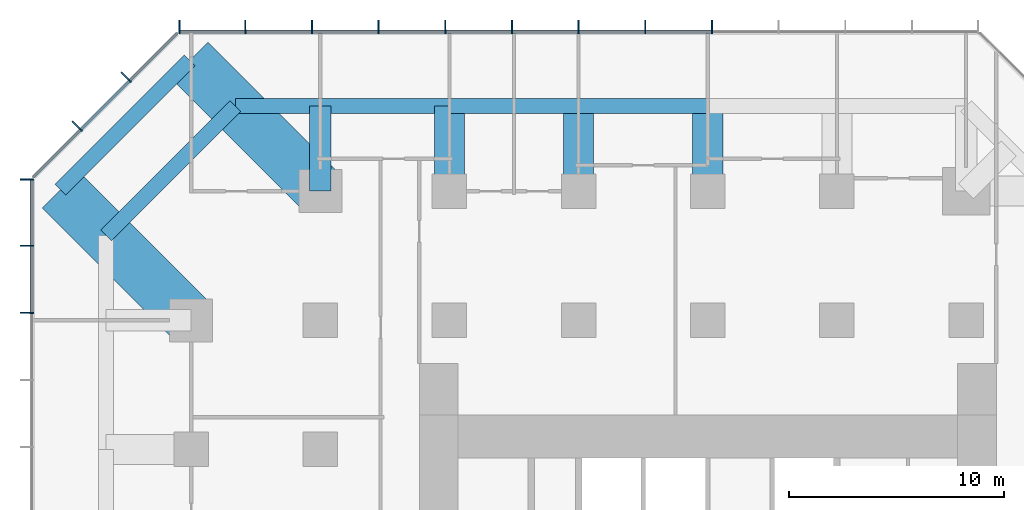
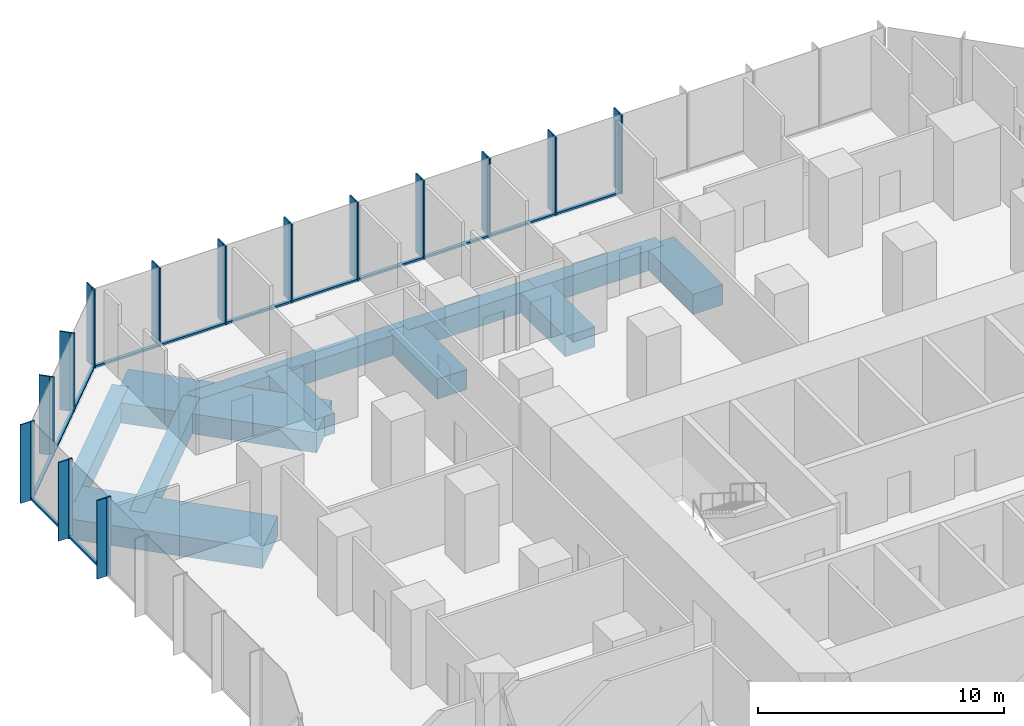
# One storey, part 5 of 12: 41 members, 11 beams, 3 elements without a shape of their own.
"""IFC4 building model written with IfcOpenShell, lengths in metres."""

from ifc_helpers import new_model, si_unit, direction, frame, origin, origin_2d, place, context, subcontext, project, spatial, rectangle, extrude, material, layer, layer_set, material_profile, profile_set, type_object, element, aggregate, save


model = new_model("IFC4")

# Units and contexts
model_context = context("Model", 3, precision=1e-05, world=origin(), true_north=direction((0.0, 1.0)))
body_context = subcontext(model_context, "Body", "Model", "MODEL_VIEW")
ifc_project = project(units=[si_unit("LENGTHUNIT", "METRE"), si_unit("AREAUNIT", "SQUARE_METRE"), si_unit("VOLUMEUNIT", "CUBIC_METRE"), si_unit("PLANEANGLEUNIT", "RADIAN"), si_unit("MASSUNIT", "GRAM", prefix="KILO")], contexts=[model_context])

# Site, building, storey
site_placement = place(None, origin())
site = spatial("IfcSite", under=ifc_project, at=site_placement, CompositionType="ELEMENT")
building_placement = place(site_placement, origin())
building = spatial("IfcBuilding", under=site, at=building_placement, Name="Highveld Stack Headquarters", CompositionType="ELEMENT")
storey_placement = place(building_placement, frame((0.0, 0.0, 101.60009765625)))
storey = spatial("IfcBuildingStorey", under=building, at=storey_placement, Name="L24", CompositionType="ELEMENT", Elevation=101.60009765625)

# Beams
ifc_material_1 = material(Name="Concrete C60/75", Category="concrete")
ifc_material_profile_1 = material_profile(ifc_material_1, rectangle(XDim=1.0, YDim=1.0, at=origin_2d()), Name="RC 1000x1000")
ifc_profile_set_1 = profile_set([ifc_material_profile_1], Name="Concrete C60/75")
beam_type_1 = type_object("IfcBeamType", Name="CANTILEVER RIB RC 1000x1000", PredefinedType="USERDEFINED", material=ifc_profile_set_1)
beam_1_placement = place(storey_placement, frame((-12.0, 24.0, -0.75), z_axis=(0.0, 1.0, 0.0), x_axis=(-1.0, 0.0, 0.0)))
element("IfcBeam", 1, at=beam_1_placement, inside=storey, type_object=beam_type_1, Name="Cantilever rib 4/J L24", ObjectType="CANTILEVER RIB", PredefinedType="USERDEFINED", context=body_context, shape_type="SweptSolid", body=[
    extrude(rectangle(XDim=1.0, YDim=1.0, at=origin_2d()), origin(), (0.0, 0.0, 1.0), 3.949951171875),
])
ifc_material_2 = material(Name="Concrete C60/75", Category="concrete")
ifc_material_profile_2 = material_profile(ifc_material_2, rectangle(XDim=1.39990234375, YDim=1.0, at=origin_2d()), Name="RC 1400x1000")
ifc_profile_set_2 = profile_set([ifc_material_profile_2], Name="Concrete C60/75")
beam_type_2 = type_object("IfcBeamType", Name="CANTILEVER RIB RC 1400x1000", PredefinedType="USERDEFINED", material=ifc_profile_set_2)
for number, where, z_axis, x_axis, name in (
    (2, (-6.0, 24.0, -0.75), (0.0, 1.0, 0.0), (-1.0, 0.0, 0.0), "Cantilever rib 5/J L24"),
    (3, (0.0, 24.0, -0.75), (0.0, 1.0, 0.0), (-1.0, 0.0, 0.0), "Cantilever rib 6/J L24"),
    (4, (6.0, 24.0, -0.75), (0.0, 1.0, 0.0), (-1.0, 0.0, 0.0), "Cantilever rib 7/J L24"),
):
    element("IfcBeam", number, at=place(storey_placement, frame(where, z_axis=z_axis, x_axis=x_axis)), inside=storey, type_object=beam_type_2, Name=name, ObjectType="CANTILEVER RIB", PredefinedType="USERDEFINED", context=body_context, shape_type="SweptSolid", body=[
        extrude(rectangle(XDim=1.39990234375, YDim=1.0, at=origin_2d()), origin(), (0.0, 0.0, 1.0), 3.949951171875),
    ])
ifc_material_3 = material(Name="Concrete C60/75", Category="concrete")
ifc_material_profile_3 = material_profile(ifc_material_3, rectangle(XDim=2.39990234375, YDim=1.0, at=origin_2d()), Name="RC 2400x1000")
ifc_profile_set_3 = profile_set([ifc_material_profile_3], Name="Concrete C60/75")
beam_type_3 = type_object("IfcBeamType", Name="CANTILEVER RIB RC 2400x1000", PredefinedType="USERDEFINED", material=ifc_profile_set_3)
for number, where, z_axis, x_axis, name in (
    (5, (-18.0, 18.0, -0.75), (-0.707106781187, 0.707106781187, 0.0), (-0.707106781187, -0.707106781187, 0.0), "Cantilever rib 3/H L24"),
    (6, (-12.0, 24.0, -0.75), (-0.707106781187, 0.707106781187, 0.0), (-0.707106781187, -0.707106781187, 0.0), "Cantilever rib 4/J L24"),
):
    element("IfcBeam", number, at=place(storey_placement, frame(where, z_axis=z_axis, x_axis=x_axis)), inside=storey, type_object=beam_type_3, Name=name, ObjectType="CANTILEVER RIB", PredefinedType="USERDEFINED", context=body_context, shape_type="SweptSolid", body=[
        extrude(rectangle(XDim=2.39990234375, YDim=1.0, at=origin_2d()), origin(), (0.0, 0.0, 1.0), 8.585693359375),
    ])

# Curtain wall, members
ifc_material_4 = material(Name="Aluminium bronze anodised", Category="aluminium")
ifc_layer_1 = layer(ifc_material_4, 0.199951171875)
ifc_layer_set_1 = layer_set([ifc_layer_1], Name="Aluminium bronze anodised")
curtain_wall_type_1 = type_object("IfcCurtainWallType", Name="CW1 TOWER UNITISED CURTAIN WALL", PredefinedType="NOTDEFINED", material=ifc_layer_set_1)
curtain_wall_1_placement = place(storey_placement, origin())
curtain_wall_1 = element("IfcCurtainWall", 7, at=curtain_wall_1_placement, inside=storey, type_object=curtain_wall_type_1, Name="Curtain wall CW1 L24 N", PredefinedType="NOTDEFINED")
ifc_material_5 = material(Name="Aluminium bronze anodised", Category="aluminium")
ifc_material_profile_4 = material_profile(ifc_material_5, rectangle(XDim=0.449951171875, YDim=0.06005859375, at=origin_2d()), Name="FIN 450x60")
ifc_profile_set_4 = profile_set([ifc_material_profile_4], Name="Aluminium bronze anodised")
member_type_1 = type_object("IfcMemberType", Name="CW1 BRONZE FIN 450x60", PredefinedType="USERDEFINED", material=ifc_profile_set_4)
member_1_placement = place(storey_placement, frame((6.193359375, 31.72509765625, 0.0), z_axis=(0.0, 0.0, 1.0), x_axis=(0.0, -1.0, 0.0)))
member_1 = element("IfcMember", 8, at=member_1_placement, type_object=member_type_1, Name="CW1 fin L24 5", ObjectType="FIN", PredefinedType="USERDEFINED", context=body_context, shape_type="SweptSolid", body=[
    extrude(rectangle(XDim=0.449951171875, YDim=0.06005859375, at=origin_2d()), origin(), (0.0, 0.0, 1.0), 3.89990234375),
])
member_2_placement = place(storey_placement, frame((3.0966796875, 31.72509765625, 0.0), z_axis=(0.0, 0.0, 1.0), x_axis=(0.0, -1.0, 0.0)))
member_2 = element("IfcMember", 9, at=member_2_placement, type_object=member_type_1, Name="CW1 fin L24 6", ObjectType="FIN", PredefinedType="USERDEFINED", context=body_context, shape_type="SweptSolid", body=[
    extrude(rectangle(XDim=0.449951171875, YDim=0.06005859375, at=origin_2d()), origin(), (0.0, 0.0, 1.0), 3.89990234375),
])
member_3_placement = place(storey_placement, frame((0.0, 31.72509765625, 0.0), z_axis=(0.0, 0.0, 1.0), x_axis=(0.0, -1.0, 0.0)))
member_3 = element("IfcMember", 10, at=member_3_placement, type_object=member_type_1, Name="CW1 fin L24 7", ObjectType="FIN", PredefinedType="USERDEFINED", context=body_context, shape_type="SweptSolid", body=[
    extrude(rectangle(XDim=0.449951171875, YDim=0.06005859375, at=origin_2d()), origin(), (0.0, 0.0, 1.0), 3.89990234375),
])
member_4_placement = place(storey_placement, frame((-3.0966796875, 31.72509765625, 0.0), z_axis=(0.0, 0.0, 1.0), x_axis=(0.0, -1.0, 0.0)))
member_4 = element("IfcMember", 11, at=member_4_placement, type_object=member_type_1, Name="CW1 fin L24 8", ObjectType="FIN", PredefinedType="USERDEFINED", context=body_context, shape_type="SweptSolid", body=[
    extrude(rectangle(XDim=0.449951171875, YDim=0.06005859375, at=origin_2d()), origin(), (0.0, 0.0, 1.0), 3.89990234375),
])
member_5_placement = place(storey_placement, frame((-6.193359375, 31.72509765625, 0.0), z_axis=(0.0, 0.0, 1.0), x_axis=(0.0, -1.0, 0.0)))
member_5 = element("IfcMember", 12, at=member_5_placement, type_object=member_type_1, Name="CW1 fin L24 9", ObjectType="FIN", PredefinedType="USERDEFINED", context=body_context, shape_type="SweptSolid", body=[
    extrude(rectangle(XDim=0.449951171875, YDim=0.06005859375, at=origin_2d()), origin(), (0.0, 0.0, 1.0), 3.89990234375),
])
member_6_placement = place(storey_placement, frame((-9.2900390625, 31.72509765625, 0.0), z_axis=(0.0, 0.0, 1.0), x_axis=(0.0, -1.0, 0.0)))
member_6 = element("IfcMember", 13, at=member_6_placement, type_object=member_type_1, Name="CW1 fin L24 10", ObjectType="FIN", PredefinedType="USERDEFINED", context=body_context, shape_type="SweptSolid", body=[
    extrude(rectangle(XDim=0.449951171875, YDim=0.06005859375, at=origin_2d()), origin(), (0.0, 0.0, 1.0), 3.89990234375),
])
member_7_placement = place(storey_placement, frame((-12.38671875, 31.72509765625, 0.0), z_axis=(0.0, 0.0, 1.0), x_axis=(0.0, -1.0, 0.0)))
member_7 = element("IfcMember", 14, at=member_7_placement, type_object=member_type_1, Name="CW1 fin L24 11", ObjectType="FIN", PredefinedType="USERDEFINED", context=body_context, shape_type="SweptSolid", body=[
    extrude(rectangle(XDim=0.449951171875, YDim=0.06005859375, at=origin_2d()), origin(), (0.0, 0.0, 1.0), 3.89990234375),
])
member_8_placement = place(storey_placement, frame((-15.4833984375, 31.72509765625, 0.0), z_axis=(0.0, 0.0, 1.0), x_axis=(0.0, -1.0, 0.0)))
member_8 = element("IfcMember", 15, at=member_8_placement, type_object=member_type_1, Name="CW1 fin L24 12", ObjectType="FIN", PredefinedType="USERDEFINED", context=body_context, shape_type="SweptSolid", body=[
    extrude(rectangle(XDim=0.449951171875, YDim=0.06005859375, at=origin_2d()), origin(), (0.0, 0.0, 1.0), 3.89990234375),
])
member_9_placement = place(storey_placement, frame((-18.54736328125, 31.72509765625, 0.0), z_axis=(0.0, 0.0, 1.0), x_axis=(0.0, -1.0, 0.0)))
member_9 = element("IfcMember", 16, at=member_9_placement, type_object=member_type_1, Name="CW1 fin L24 13", ObjectType="FIN", PredefinedType="USERDEFINED", context=body_context, shape_type="SweptSolid", body=[
    extrude(rectangle(XDim=0.449951171875, YDim=0.06005859375, at=origin_2d()), origin(), (0.0, 0.0, 1.0), 3.89990234375),
])

curtain_wall_2_placement = place(storey_placement, origin())
curtain_wall_2 = element("IfcCurtainWall", 17, at=curtain_wall_2_placement, inside=storey, type_object=curtain_wall_type_1, Name="Curtain wall CW1 L24 W", PredefinedType="NOTDEFINED")
member_10_placement = place(storey_placement, frame((-25.72509765625, 24.54736328125, 0.0), z_axis=(0.0, 0.0, 1.0), x_axis=(1.0, 0.0, 0.0)))
member_10 = element("IfcMember", 18, at=member_10_placement, type_object=member_type_1, Name="CW1 fin L24 1", ObjectType="FIN", PredefinedType="USERDEFINED", context=body_context, shape_type="SweptSolid", body=[
    extrude(rectangle(XDim=0.449951171875, YDim=0.06005859375, at=origin_2d()), origin(), (0.0, 0.0, 1.0), 3.89990234375),
])
member_11_placement = place(storey_placement, frame((-25.72509765625, 21.4638671875, 0.0), z_axis=(0.0, 0.0, 1.0), x_axis=(1.0, 0.0, 0.0)))
member_11 = element("IfcMember", 19, at=member_11_placement, type_object=member_type_1, Name="CW1 fin L24 2", ObjectType="FIN", PredefinedType="USERDEFINED", context=body_context, shape_type="SweptSolid", body=[
    extrude(rectangle(XDim=0.449951171875, YDim=0.06005859375, at=origin_2d()), origin(), (0.0, 0.0, 1.0), 3.89990234375),
])
member_12_placement = place(storey_placement, frame((-25.72509765625, 18.347900390625, 0.0), z_axis=(0.0, 0.0, 1.0), x_axis=(1.0, 0.0, 0.0)))
member_12 = element("IfcMember", 20, at=member_12_placement, type_object=member_type_1, Name="CW1 fin L24 3", ObjectType="FIN", PredefinedType="USERDEFINED", context=body_context, shape_type="SweptSolid", body=[
    extrude(rectangle(XDim=0.449951171875, YDim=0.06005859375, at=origin_2d()), origin(), (0.0, 0.0, 1.0), 3.89990234375),
])

# Member
ifc_material_6 = material(Name="Aluminium bronze anodised", Category="aluminium")
ifc_material_profile_5 = material_profile(ifc_material_6, rectangle(XDim=0.199951171875, YDim=0.06494140625, at=origin_2d()), Name="CW1 MULLION 65x200")
ifc_profile_set_5 = profile_set([ifc_material_profile_5], Name="Aluminium bronze anodised")
member_type_2 = type_object("IfcMemberType", Name="CW1 MULLION 65x200", PredefinedType="MULLION", material=ifc_profile_set_5)
member_13_placement = place(storey_placement, frame((6.193359375, 31.39990234375, 0.0), z_axis=(0.0, 0.0, 1.0), x_axis=(0.0, -1.0, 0.0)))
member_13 = element("IfcMember", 21, at=member_13_placement, type_object=member_type_2, Name="CW1 mullion L24 5", PredefinedType="MULLION", context=body_context, shape_type="SweptSolid", body=[
    extrude(rectangle(XDim=0.199951171875, YDim=0.06494140625, at=origin_2d()), origin(), (0.0, 0.0, 1.0), 3.89990234375),
])

member_14_placement = place(storey_placement, frame((3.0966796875, 31.39990234375, 0.0), z_axis=(0.0, 0.0, 1.0), x_axis=(0.0, -1.0, 0.0)))
member_14 = element("IfcMember", 22, at=member_14_placement, type_object=member_type_2, Name="CW1 mullion L24 6", PredefinedType="MULLION", context=body_context, shape_type="SweptSolid", body=[
    extrude(rectangle(XDim=0.199951171875, YDim=0.06494140625, at=origin_2d()), origin(), (0.0, 0.0, 1.0), 3.89990234375),
])

member_15_placement = place(storey_placement, frame((0.0, 31.39990234375, 0.0), z_axis=(0.0, 0.0, 1.0), x_axis=(0.0, -1.0, 0.0)))
member_15 = element("IfcMember", 23, at=member_15_placement, type_object=member_type_2, Name="CW1 mullion L24 7", PredefinedType="MULLION", context=body_context, shape_type="SweptSolid", body=[
    extrude(rectangle(XDim=0.199951171875, YDim=0.06494140625, at=origin_2d()), origin(), (0.0, 0.0, 1.0), 3.89990234375),
])

member_16_placement = place(storey_placement, frame((-3.0966796875, 31.39990234375, 0.0), z_axis=(0.0, 0.0, 1.0), x_axis=(0.0, -1.0, 0.0)))
member_16 = element("IfcMember", 24, at=member_16_placement, type_object=member_type_2, Name="CW1 mullion L24 8", PredefinedType="MULLION", context=body_context, shape_type="SweptSolid", body=[
    extrude(rectangle(XDim=0.199951171875, YDim=0.06494140625, at=origin_2d()), origin(), (0.0, 0.0, 1.0), 3.89990234375),
])

member_17_placement = place(storey_placement, frame((-6.193359375, 31.39990234375, 0.0), z_axis=(0.0, 0.0, 1.0), x_axis=(0.0, -1.0, 0.0)))
member_17 = element("IfcMember", 25, at=member_17_placement, type_object=member_type_2, Name="CW1 mullion L24 9", PredefinedType="MULLION", context=body_context, shape_type="SweptSolid", body=[
    extrude(rectangle(XDim=0.199951171875, YDim=0.06494140625, at=origin_2d()), origin(), (0.0, 0.0, 1.0), 3.89990234375),
])

member_18_placement = place(storey_placement, frame((-9.2900390625, 31.39990234375, 0.0), z_axis=(0.0, 0.0, 1.0), x_axis=(0.0, -1.0, 0.0)))
member_18 = element("IfcMember", 26, at=member_18_placement, type_object=member_type_2, Name="CW1 mullion L24 10", PredefinedType="MULLION", context=body_context, shape_type="SweptSolid", body=[
    extrude(rectangle(XDim=0.199951171875, YDim=0.06494140625, at=origin_2d()), origin(), (0.0, 0.0, 1.0), 3.89990234375),
])

member_19_placement = place(storey_placement, frame((-12.38671875, 31.39990234375, 0.0), z_axis=(0.0, 0.0, 1.0), x_axis=(0.0, -1.0, 0.0)))
member_19 = element("IfcMember", 27, at=member_19_placement, type_object=member_type_2, Name="CW1 mullion L24 11", PredefinedType="MULLION", context=body_context, shape_type="SweptSolid", body=[
    extrude(rectangle(XDim=0.199951171875, YDim=0.06494140625, at=origin_2d()), origin(), (0.0, 0.0, 1.0), 3.89990234375),
])

member_20_placement = place(storey_placement, frame((-15.4833984375, 31.39990234375, 0.0), z_axis=(0.0, 0.0, 1.0), x_axis=(0.0, -1.0, 0.0)))
member_20 = element("IfcMember", 28, at=member_20_placement, type_object=member_type_2, Name="CW1 mullion L24 12", PredefinedType="MULLION", context=body_context, shape_type="SweptSolid", body=[
    extrude(rectangle(XDim=0.199951171875, YDim=0.06494140625, at=origin_2d()), origin(), (0.0, 0.0, 1.0), 3.89990234375),
])

member_21_placement = place(storey_placement, frame((-18.54736328125, 31.39990234375, 0.0), z_axis=(0.0, 0.0, 1.0), x_axis=(0.0, -1.0, 0.0)))
member_21 = element("IfcMember", 29, at=member_21_placement, type_object=member_type_2, Name="CW1 mullion L24 13", PredefinedType="MULLION", context=body_context, shape_type="SweptSolid", body=[
    extrude(rectangle(XDim=0.199951171875, YDim=0.06494140625, at=origin_2d()), origin(), (0.0, 0.0, 1.0), 3.89990234375),
])

member_22_placement = place(storey_placement, frame((-25.39990234375, 24.54736328125, 0.0), z_axis=(0.0, 0.0, 1.0), x_axis=(1.0, 0.0, 0.0)))
member_22 = element("IfcMember", 30, at=member_22_placement, type_object=member_type_2, Name="CW1 mullion L24 1", PredefinedType="MULLION", context=body_context, shape_type="SweptSolid", body=[
    extrude(rectangle(XDim=0.199951171875, YDim=0.06494140625, at=origin_2d()), origin(), (0.0, 0.0, 1.0), 3.89990234375),
])

member_23_placement = place(storey_placement, frame((-25.39990234375, 21.4638671875, 0.0), z_axis=(0.0, 0.0, 1.0), x_axis=(1.0, 0.0, 0.0)))
member_23 = element("IfcMember", 31, at=member_23_placement, type_object=member_type_2, Name="CW1 mullion L24 2", PredefinedType="MULLION", context=body_context, shape_type="SweptSolid", body=[
    extrude(rectangle(XDim=0.199951171875, YDim=0.06494140625, at=origin_2d()), origin(), (0.0, 0.0, 1.0), 3.89990234375),
])

member_24_placement = place(storey_placement, frame((-25.39990234375, 18.347900390625, 0.0), z_axis=(0.0, 0.0, 1.0), x_axis=(1.0, 0.0, 0.0)))
member_24 = element("IfcMember", 32, at=member_24_placement, type_object=member_type_2, Name="CW1 mullion L24 3", PredefinedType="MULLION", context=body_context, shape_type="SweptSolid", body=[
    extrude(rectangle(XDim=0.199951171875, YDim=0.06494140625, at=origin_2d()), origin(), (0.0, 0.0, 1.0), 3.89990234375),
])

ifc_material_7 = material(Name="Aluminium bronze anodised", Category="aluminium")
ifc_material_profile_6 = material_profile(ifc_material_7, rectangle(XDim=0.14990234375, YDim=0.10009765625, at=origin_2d()), Name="CW1 TRANSOM 150x100")
ifc_profile_set_6 = profile_set([ifc_material_profile_6], Name="Aluminium bronze anodised")
member_type_3 = type_object("IfcMemberType", Name="CW1 STACK TRANSOM 150x100", PredefinedType="USERDEFINED", material=ifc_profile_set_6)
member_25_placement = place(storey_placement, frame((6.160888671875, 31.39990234375, 0.0498046875), z_axis=(-1.0, 0.0, 0.0), x_axis=(0.0, -1.0, 0.0)))
member_25 = element("IfcMember", 33, at=member_25_placement, type_object=member_type_3, Name="CW1 transom L24 5.1", ObjectType="TRANSOM", PredefinedType="USERDEFINED", context=body_context, shape_type="SweptSolid", body=[
    extrude(rectangle(XDim=0.14990234375, YDim=0.10009765625, at=origin_2d()), origin(), (0.0, 0.0, 1.0), 3.03173828125),
])

member_26_placement = place(storey_placement, frame((3.064208984375, 31.39990234375, 0.0498046875), z_axis=(-1.0, 0.0, 0.0), x_axis=(0.0, -1.0, 0.0)))
member_26 = element("IfcMember", 34, at=member_26_placement, type_object=member_type_3, Name="CW1 transom L24 6.1", ObjectType="TRANSOM", PredefinedType="USERDEFINED", context=body_context, shape_type="SweptSolid", body=[
    extrude(rectangle(XDim=0.14990234375, YDim=0.10009765625, at=origin_2d()), origin(), (0.0, 0.0, 1.0), 3.03173828125),
])

member_27_placement = place(storey_placement, frame((-0.032470703125, 31.39990234375, 0.0498046875), z_axis=(-1.0, 0.0, 0.0), x_axis=(0.0, -1.0, 0.0)))
member_27 = element("IfcMember", 35, at=member_27_placement, type_object=member_type_3, Name="CW1 transom L24 7.1", ObjectType="TRANSOM", PredefinedType="USERDEFINED", context=body_context, shape_type="SweptSolid", body=[
    extrude(rectangle(XDim=0.14990234375, YDim=0.10009765625, at=origin_2d()), origin(), (0.0, 0.0, 1.0), 3.03173828125),
])

member_28_placement = place(storey_placement, frame((-3.129150390625, 31.39990234375, 0.0498046875), z_axis=(-1.0, 0.0, 0.0), x_axis=(0.0, -1.0, 0.0)))
member_28 = element("IfcMember", 36, at=member_28_placement, type_object=member_type_3, Name="CW1 transom L24 8.1", ObjectType="TRANSOM", PredefinedType="USERDEFINED", context=body_context, shape_type="SweptSolid", body=[
    extrude(rectangle(XDim=0.14990234375, YDim=0.10009765625, at=origin_2d()), origin(), (0.0, 0.0, 1.0), 3.03173828125),
])

member_29_placement = place(storey_placement, frame((-6.225830078125, 31.39990234375, 0.0498046875), z_axis=(-1.0, 0.0, 0.0), x_axis=(0.0, -1.0, 0.0)))
member_29 = element("IfcMember", 37, at=member_29_placement, type_object=member_type_3, Name="CW1 transom L24 9.1", ObjectType="TRANSOM", PredefinedType="USERDEFINED", context=body_context, shape_type="SweptSolid", body=[
    extrude(rectangle(XDim=0.14990234375, YDim=0.10009765625, at=origin_2d()), origin(), (0.0, 0.0, 1.0), 3.03173828125),
])

member_30_placement = place(storey_placement, frame((-9.322509765625, 31.39990234375, 0.0498046875), z_axis=(-1.0, 0.0, 0.0), x_axis=(0.0, -1.0, 0.0)))
member_30 = element("IfcMember", 38, at=member_30_placement, type_object=member_type_3, Name="CW1 transom L24 10.1", ObjectType="TRANSOM", PredefinedType="USERDEFINED", context=body_context, shape_type="SweptSolid", body=[
    extrude(rectangle(XDim=0.14990234375, YDim=0.10009765625, at=origin_2d()), origin(), (0.0, 0.0, 1.0), 3.031494140625),
])

member_31_placement = place(storey_placement, frame((-12.419189453125, 31.39990234375, 0.0498046875), z_axis=(-1.0, 0.0, 0.0), x_axis=(0.0, -1.0, 0.0)))
member_31 = element("IfcMember", 39, at=member_31_placement, type_object=member_type_3, Name="CW1 transom L24 11.1", ObjectType="TRANSOM", PredefinedType="USERDEFINED", context=body_context, shape_type="SweptSolid", body=[
    extrude(rectangle(XDim=0.14990234375, YDim=0.10009765625, at=origin_2d()), origin(), (0.0, 0.0, 1.0), 3.031494140625),
])

member_32_placement = place(storey_placement, frame((-15.515869140625, 31.39990234375, 0.0498046875), z_axis=(-1.0, 0.0, 0.0), x_axis=(0.0, -1.0, 0.0)))
member_32 = element("IfcMember", 40, at=member_32_placement, type_object=member_type_3, Name="CW1 transom L24 12.1", ObjectType="TRANSOM", PredefinedType="USERDEFINED", context=body_context, shape_type="SweptSolid", body=[
    extrude(rectangle(XDim=0.14990234375, YDim=0.10009765625, at=origin_2d()), origin(), (0.0, 0.0, 1.0), 2.9990234375),
])

aggregate(curtain_wall_1, [member_13, member_1, member_14, member_2, member_15, member_3, member_16, member_4, member_17, member_5, member_18, member_6, member_19, member_7, member_20, member_8, member_21, member_9, member_25, member_26, member_27, member_28, member_29, member_30, member_31, member_32])

member_33_placement = place(storey_placement, frame((-25.39990234375, 24.514892578125, 0.0498046875), z_axis=(0.0, -1.0, 0.0), x_axis=(1.0, 0.0, 0.0)))
member_33 = element("IfcMember", 41, at=member_33_placement, type_object=member_type_3, Name="CW1 transom L24 1.1", ObjectType="TRANSOM", PredefinedType="USERDEFINED", context=body_context, shape_type="SweptSolid", body=[
    extrude(rectangle(XDim=0.14990234375, YDim=0.10009765625, at=origin_2d()), origin(), (0.0, 0.0, 1.0), 3.0185546875),
])

member_34_placement = place(storey_placement, frame((-25.39990234375, 21.431396484375, 0.0498046875), z_axis=(0.0, -1.0, 0.0), x_axis=(1.0, 0.0, 0.0)))
member_34 = element("IfcMember", 42, at=member_34_placement, type_object=member_type_3, Name="CW1 transom L24 2.1", ObjectType="TRANSOM", PredefinedType="USERDEFINED", context=body_context, shape_type="SweptSolid", body=[
    extrude(rectangle(XDim=0.14990234375, YDim=0.10009765625, at=origin_2d()), origin(), (0.0, 0.0, 1.0), 3.051025390625),
])

aggregate(curtain_wall_2, [member_22, member_10, member_23, member_11, member_24, member_12, member_33, member_34])

# Curtain wall, members
ifc_material_8 = material(Name="Aluminium bronze anodised", Category="aluminium")
ifc_layer_2 = layer(ifc_material_8, 0.199951171875)
ifc_layer_set_2 = layer_set([ifc_layer_2], Name="Aluminium bronze anodised")
curtain_wall_type_2 = type_object("IfcCurtainWallType", Name="CW2 TOWER CHAMFER UNITISED CURTAIN WALL", PredefinedType="NOTDEFINED", material=ifc_layer_set_2)
curtain_wall_3_placement = place(storey_placement, origin())
curtain_wall_3 = element("IfcCurtainWall", 43, at=curtain_wall_3_placement, inside=storey, type_object=curtain_wall_type_2, Name="Curtain wall CW2 L24 NW", PredefinedType="NOTDEFINED")
ifc_material_9 = material(Name="Aluminium bronze anodised", Category="aluminium")
ifc_material_profile_7 = material_profile(ifc_material_9, rectangle(XDim=0.449951171875, YDim=0.06005859375, at=origin_2d()), Name="FIN 450x60")
ifc_profile_set_7 = profile_set([ifc_material_profile_7], Name="Aluminium bronze anodised")
member_type_4 = type_object("IfcMemberType", Name="CW2 BRONZE FIN 450x60", PredefinedType="USERDEFINED", material=ifc_profile_set_7)
member_35_placement = place(storey_placement, frame((-21.0830078125, 29.3564453125, 0.0), z_axis=(0.0, 0.0, 1.0), x_axis=(0.707106781187, -0.707106781187, 0.0)))
member_35 = element("IfcMember", 44, at=member_35_placement, type_object=member_type_4, Name="CW2 fin L24 1", ObjectType="FIN", PredefinedType="USERDEFINED", context=body_context, shape_type="SweptSolid", body=[
    extrude(rectangle(XDim=0.449951171875, YDim=0.06005859375, at=origin_2d()), origin(), (0.0, 0.0, 1.0), 3.89990234375),
])
member_36_placement = place(storey_placement, frame((-23.3564453125, 27.0830078125, 0.0), z_axis=(0.0, 0.0, 1.0), x_axis=(0.707106781187, -0.707106781187, 0.0)))
member_36 = element("IfcMember", 45, at=member_36_placement, type_object=member_type_4, Name="CW2 fin L24 2", ObjectType="FIN", PredefinedType="USERDEFINED", context=body_context, shape_type="SweptSolid", body=[
    extrude(rectangle(XDim=0.449951171875, YDim=0.06005859375, at=origin_2d()), origin(), (0.0, 0.0, 1.0), 3.89990234375),
])
ifc_material_10 = material(Name="Aluminium bronze anodised", Category="aluminium")
ifc_material_profile_8 = material_profile(ifc_material_10, rectangle(XDim=0.199951171875, YDim=0.06494140625, at=origin_2d()), Name="CW2 MULLION 65x200")
ifc_profile_set_8 = profile_set([ifc_material_profile_8], Name="Aluminium bronze anodised")
member_type_5 = type_object("IfcMemberType", Name="CW2 MULLION 65x200", PredefinedType="MULLION", material=ifc_profile_set_8)
member_37_placement = place(storey_placement, frame((-20.853271484375, 29.126708984375, 0.0), z_axis=(0.0, 0.0, 1.0), x_axis=(0.707106781187, -0.707106781187, 0.0)))
member_37 = element("IfcMember", 46, at=member_37_placement, type_object=member_type_5, Name="CW2 mullion L24 1", PredefinedType="MULLION", context=body_context, shape_type="SweptSolid", body=[
    extrude(rectangle(XDim=0.199951171875, YDim=0.06494140625, at=origin_2d()), origin(), (0.0, 0.0, 1.0), 3.89990234375),
])
member_38_placement = place(storey_placement, frame((-23.126708984375, 26.853271484375, 0.0), z_axis=(0.0, 0.0, 1.0), x_axis=(0.707106781187, -0.707106781187, 0.0)))
member_38 = element("IfcMember", 47, at=member_38_placement, type_object=member_type_5, Name="CW2 mullion L24 2", PredefinedType="MULLION", context=body_context, shape_type="SweptSolid", body=[
    extrude(rectangle(XDim=0.199951171875, YDim=0.06494140625, at=origin_2d()), origin(), (0.0, 0.0, 1.0), 3.89990234375),
])
ifc_material_11 = material(Name="Aluminium bronze anodised", Category="aluminium")
ifc_material_profile_9 = material_profile(ifc_material_11, rectangle(XDim=0.14990234375, YDim=0.10009765625, at=origin_2d()), Name="CW2 TRANSOM 150x100")
ifc_profile_set_9 = profile_set([ifc_material_profile_9], Name="Aluminium bronze anodised")
member_type_6 = type_object("IfcMemberType", Name="CW2 STACK TRANSOM 150x100", PredefinedType="USERDEFINED", material=ifc_profile_set_9)
member_39_placement = place(storey_placement, frame((-18.650634765625, 31.329345703125, 0.0498046875), z_axis=(-0.707106781187, -0.707106781187, 0.0), x_axis=(0.707106781187, -0.707106781187, 0.0)))
member_39 = element("IfcMember", 48, at=member_39_placement, type_object=member_type_6, Name="CW2 transom L24 1.1", ObjectType="TRANSOM", PredefinedType="USERDEFINED", context=body_context, shape_type="SweptSolid", body=[
    extrude(rectangle(XDim=0.14990234375, YDim=0.10009765625, at=origin_2d()), origin(), (0.0, 0.0, 1.0), 3.08251953125),
])
member_40_placement = place(storey_placement, frame((-20.876220703125, 29.103759765625, 0.0498046875), z_axis=(-0.707106781187, -0.707106781187, 0.0), x_axis=(0.707106781187, -0.707106781187, 0.0)))
member_40 = element("IfcMember", 49, at=member_40_placement, type_object=member_type_6, Name="CW2 transom L24 2.1", ObjectType="TRANSOM", PredefinedType="USERDEFINED", context=body_context, shape_type="SweptSolid", body=[
    extrude(rectangle(XDim=0.14990234375, YDim=0.10009765625, at=origin_2d()), origin(), (0.0, 0.0, 1.0), 3.150146484375),
])
member_41_placement = place(storey_placement, frame((-23.149658203125, 26.830322265625, 0.0498046875), z_axis=(-0.707106781187, -0.707106781187, 0.0), x_axis=(0.707106781187, -0.707106781187, 0.0)))
member_41 = element("IfcMember", 50, at=member_41_placement, type_object=member_type_6, Name="CW2 transom L24 3.1", ObjectType="TRANSOM", PredefinedType="USERDEFINED", context=body_context, shape_type="SweptSolid", body=[
    extrude(rectangle(XDim=0.14990234375, YDim=0.10009765625, at=origin_2d()), origin(), (0.0, 0.0, 1.0), 3.08251953125),
])
aggregate(curtain_wall_3, [member_37, member_35, member_38, member_36, member_39, member_40, member_41])

# Beams
ifc_material_12 = material(Name="Concrete C60/75", Category="concrete")
ifc_material_profile_10 = material_profile(ifc_material_12, rectangle(XDim=0.699951171875, YDim=1.0, at=origin_2d()), Name="RC 700x1000")
ifc_profile_set_10 = profile_set([ifc_material_profile_10], Name="Concrete C60/75")
beam_type_4 = type_object("IfcBeamType", Name="RIB TIP BEAM RC 700x1000", PredefinedType="SPANDREL", material=ifc_profile_set_10)
beam_2_placement = place(storey_placement, frame((-15.949951171875, 27.949951171875, -0.75), z_axis=(1.0, 0.0, 0.0), x_axis=(0.0, 1.0, 0.0)))
element("IfcBeam", 51, at=beam_2_placement, inside=storey, type_object=beam_type_4, Name="Rib tip beam 4/J to 5/J L24", PredefinedType="SPANDREL", context=body_context, shape_type="SweptSolid", body=[
    extrude(rectangle(XDim=0.699951171875, YDim=1.0, at=origin_2d()), origin(), (0.0, 0.0, 1.0), 9.949951171875),
])
for number, where, z_axis, x_axis, name in (
    (52, (-6.0, 27.949951171875, -0.75), (1.0, 0.0, 0.0), (0.0, 1.0, 0.0), "Rib tip beam 5/J to 6/J L24"),
    (53, (0.0, 27.949951171875, -0.75), (1.0, 0.0, 0.0), (0.0, 1.0, 0.0), "Rib tip beam 6/J to 7/J L24"),
):
    element("IfcBeam", number, at=place(storey_placement, frame(where, z_axis=z_axis, x_axis=x_axis)), inside=storey, type_object=beam_type_4, Name=name, PredefinedType="SPANDREL", context=body_context, shape_type="SweptSolid", body=[
        extrude(rectangle(XDim=0.699951171875, YDim=1.0, at=origin_2d()), origin(), (0.0, 0.0, 1.0), 6.0),
    ])
for number, where, z_axis, x_axis, name in (
    (54, (-21.949951171875, 21.949951171875, -0.75), (0.707106781187, 0.707106781187, 0.0), (-0.707106781187, 0.707106781187, 0.0), "Rib tip beam 3/H to 4/J chamfer L24"),
    (55, (-24.071044921875, 24.071044921875, -0.75), (0.707106781187, 0.707106781187, 0.0), (-0.707106781187, 0.707106781187, 0.0), "Rib tip beam 3/H to 4/J chamfer edge L24"),
):
    element("IfcBeam", number, at=place(storey_placement, frame(where, z_axis=z_axis, x_axis=x_axis)), inside=storey, type_object=beam_type_4, Name=name, PredefinedType="SPANDREL", context=body_context, shape_type="SweptSolid", body=[
        extrude(rectangle(XDim=0.699951171875, YDim=1.0, at=origin_2d()), origin(), (0.0, 0.0, 1.0), 8.4853515625),
    ])

save(model, "model.ifc")
